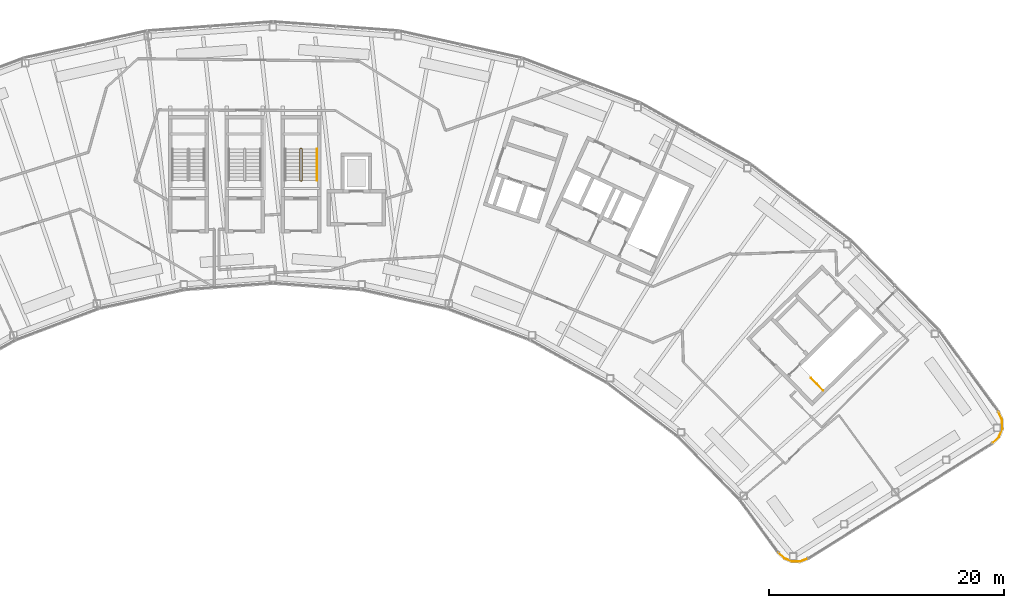
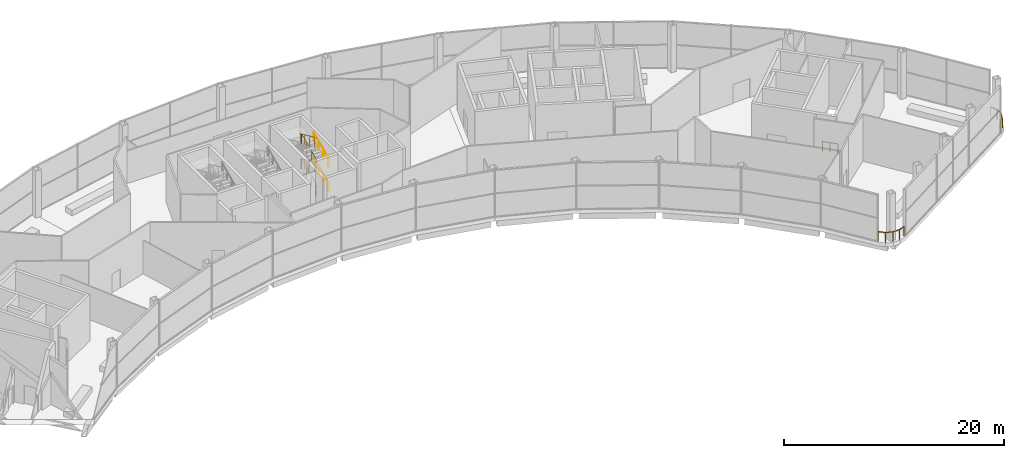
# One storey, part 43 of 44: 6 railings.
"""IFC4 building model written with IfcOpenShell, lengths in metres."""

from ifc_helpers import new_model, si_unit, direction, frame, origin, origin_2d, place, context, subcontext, project, spatial, circle, extrude, material, type_object, element, save


model = new_model("IFC4")

# Units and contexts
model_context = context("Model", 3, precision=1e-05, world=origin(), true_north=direction((0.0, 1.0)))
body_context = subcontext(model_context, "Body", "Model", "MODEL_VIEW")
ifc_project = project(units=[si_unit("LENGTHUNIT", "METRE"), si_unit("AREAUNIT", "SQUARE_METRE"), si_unit("VOLUMEUNIT", "CUBIC_METRE"), si_unit("PLANEANGLEUNIT", "RADIAN"), si_unit("MASSUNIT", "GRAM", prefix="KILO")], contexts=[model_context])

# Site, building, storey
site_placement = place(None, origin())
site = spatial("IfcSite", under=ifc_project, at=site_placement, CompositionType="ELEMENT")
building_placement = place(site_placement, origin())
building = spatial("IfcBuilding", under=site, at=building_placement, Name="Tuul Gate Civic Tower", CompositionType="ELEMENT")
storey_placement = place(building_placement, frame((0.0, 0.0, 354.60009765625)))
storey = spatial("IfcBuildingStorey", under=building, at=storey_placement, Name="Observation level 2", CompositionType="ELEMENT", Elevation=354.60009765625)

# Railings
ifc_material_1 = material(Name="Stainless steel", Category="steel")
railing_type_1 = type_object("IfcRailingType", Name="Edge guard", PredefinedType="GUARDRAIL", material=ifc_material_1)
railing_1_placement = place(storey_placement, frame((45.263916015625, -30.955078125, 0.0)))
element("IfcRailing", 1, at=railing_1_placement, inside=storey, type_object=railing_type_1, Name="Guard", PredefinedType="GUARDRAIL", context=body_context, shape_type="SweptSolid", body=[
    extrude(circle(Radius=0.02392578125, at=origin_2d()), frame((0.0, 0.0, 1.076171875), z_axis=(0.732667294309, -0.680586978901, 0.0), x_axis=(0.680586978901, 0.732667294309, 0.0)), (0.0, 0.0, 1.0), 0.689208984375),
    extrude(circle(Radius=0.02392578125, at=origin_2d()), frame((0.5048828125, -0.468994140625, 1.076171875), z_axis=(0.929355422999, -0.369186264293, 0.0), x_axis=(0.369186264293, 0.929355422999, 0.0)), (0.0, 0.0, 1.0), 0.687744140625),
    extrude(circle(Radius=0.02392578125, at=origin_2d()), frame((1.14404296875, -0.722900390625, 1.076171875), z_axis=(0.999995970368, -0.002838881392, 0.0), x_axis=(0.002838881392, 0.999995970368, 0.0)), (0.0, 0.0, 1.0), 0.68798828125),
    extrude(circle(Radius=0.02392578125, at=origin_2d()), frame((1.83203125, -0.724853515625, 1.076171875), z_axis=(0.93193147543, 0.362634423494, 0.0), x_axis=(-0.362634423494, 0.93193147543, 0.0)), (0.0, 0.0, 1.0), 0.688720703125),
    extrude(circle(Radius=0.02099609375, at=origin_2d()), origin(), (0.0, 0.0, 1.0), 1.052001953125),
    extrude(circle(Radius=0.02099609375, at=origin_2d()), frame((0.5048828125, -0.468994140625, 0.0)), (0.0, 0.0, 1.0), 1.052001953125),
    extrude(circle(Radius=0.02099609375, at=origin_2d()), frame((1.14404296875, -0.722900390625, 0.0)), (0.0, 0.0, 1.0), 1.052001953125),
    extrude(circle(Radius=0.02099609375, at=origin_2d()), frame((1.83203125, -0.724853515625, 0.0)), (0.0, 0.0, 1.0), 1.052001953125),
    extrude(circle(Radius=0.02099609375, at=origin_2d()), frame((2.473876953125, -0.47509765625, 0.0)), (0.0, 0.0, 1.0), 1.052001953125),
])
railing_2_placement = place(storey_placement, frame((63.468994140625, -21.60400390625, 0.0)))
element("IfcRailing", 2, at=railing_2_placement, inside=storey, type_object=railing_type_1, Name="Guard", PredefinedType="GUARDRAIL", context=body_context, shape_type="SweptSolid", body=[
    extrude(circle(Radius=0.02392578125, at=origin_2d()), frame((0.0, 0.0, 1.076171875), z_axis=(0.718993773209, 0.695016513535, 0.0), x_axis=(-0.695016513535, 0.718993773209, 0.0)), (0.0, 0.0, 1.0), 0.75341796875),
    extrude(circle(Radius=0.02392578125, at=origin_2d()), frame((0.541748046875, 0.523681640625, 1.076171875), z_axis=(0.385811143559, 0.922577780735, 0.0), x_axis=(-0.922577780735, 0.385811143559, 0.0)), (0.0, 0.0, 1.0), 0.753662109375),
    extrude(circle(Radius=0.02392578125, at=origin_2d()), frame((0.83251953125, 1.218994140625, 1.076171875), z_axis=(-0.014580433083, 0.999893699836, 0.0), x_axis=(-0.999893699836, -0.014580433083, 0.0)), (0.0, 0.0, 1.0), 0.75341796875),
    extrude(circle(Radius=0.02392578125, at=origin_2d()), frame((0.821533203125, 1.972412109375, 1.076171875), z_axis=(-0.413070533901, 0.910699035918, 0.0), x_axis=(-0.910699035918, -0.413070533901, 0.0)), (0.0, 0.0, 1.0), 0.753662109375),
    extrude(circle(Radius=0.02099609375, at=origin_2d()), origin(), (0.0, 0.0, 1.0), 1.052001953125),
    extrude(circle(Radius=0.02099609375, at=origin_2d()), frame((0.541748046875, 0.523681640625, 0.0)), (0.0, 0.0, 1.0), 1.052001953125),
    extrude(circle(Radius=0.02099609375, at=origin_2d()), frame((0.83251953125, 1.218994140625, 0.0)), (0.0, 0.0, 1.0), 1.052001953125),
    extrude(circle(Radius=0.02099609375, at=origin_2d()), frame((0.821533203125, 1.972412109375, 0.0)), (0.0, 0.0, 1.0), 1.052001953125),
    extrude(circle(Radius=0.02099609375, at=origin_2d()), frame((0.51025390625, 2.65869140625, 0.0)), (0.0, 0.0, 1.0), 1.052001953125),
])
ifc_material_2 = material(Name="Painted steel", Category="steel")
railing_type_2 = type_object("IfcRailingType", Name="Stair guard", PredefinedType="GUARDRAIL", material=ifc_material_2)
railing_3_placement = place(storey_placement, frame((49.050537109375, -17.098876953125, 0.0)))
element("IfcRailing", 3, at=railing_3_placement, inside=storey, type_object=railing_type_2, Name="Observation level 2 ST-3 top well guard 1", PredefinedType="GUARDRAIL", context=body_context, shape_type="SweptSolid", body=[
    extrude(circle(Radius=0.02392578125, at=origin_2d()), frame((0.0, 0.0, 1.076171875), z_axis=(-0.69991484053, 0.714226305876, 0.0), x_axis=(-0.714226305876, -0.69991484053, 0.0)), (0.0, 0.0, 1.0), 1.449951171875),
    extrude(circle(Radius=0.02099609375, at=origin_2d()), origin(), (0.0, 0.0, 1.0), 1.052001953125),
    extrude(circle(Radius=0.02099609375, at=origin_2d()), frame((-0.50732421875, 0.517822265625, 0.0)), (0.0, 0.0, 1.0), 1.052001953125),
    extrude(circle(Radius=0.02099609375, at=origin_2d()), frame((-1.014892578125, 1.03564453125, 0.0)), (0.0, 0.0, 1.0), 1.052001953125),
])
railing_4_placement = place(storey_placement, frame((4.64990234375, 0.699951171875, 0.0)))
element("IfcRailing", 4, at=railing_4_placement, inside=storey, type_object=railing_type_2, Name="Observation level 2 ST-7 stair guard 1", PredefinedType="GUARDRAIL", context=body_context, shape_type="SweptSolid", body=[
    extrude(circle(Radius=0.02392578125, at=origin_2d()), frame((0.0, 0.0, 1.076171875), z_axis=(-1.0, 0.0, 0.0), x_axis=(0.0, -1.0, 0.0)), (0.0, 0.0, 1.0), 0.099853515625),
    extrude(circle(Radius=0.02392578125, at=origin_2d()), frame((-0.099853515625, 0.0, 1.076171875), z_axis=(0.715702302449, 0.238955980459, 0.656254717066), x_axis=(-0.316691178788, 0.948528701346, 0.0)), (0.0, 0.0, 1.0), 0.20947265625),
    extrude(circle(Radius=0.02392578125, at=origin_2d()), frame((0.050048828125, 0.050048828125, 1.21337890625), z_axis=(0.0, 0.909055741701, 0.416674523436), x_axis=(-1.0, 0.0, 0.0)), (0.0, 0.0, 1.0), 2.969970703125),
    extrude(circle(Radius=0.02392578125, at=origin_2d()), frame((0.050048828125, 2.75, 2.451171875), z_axis=(-0.707106781187, 0.707106781187, 0.0), x_axis=(-0.707106781187, -0.707106781187, 0.0)), (0.0, 0.0, 1.0), 0.07080078125),
    extrude(circle(Radius=0.02392578125, at=origin_2d()), frame((0.0, 2.800048828125, 2.451171875), z_axis=(-1.0, 0.0, 0.0), x_axis=(0.0, -1.0, 0.0)), (0.0, 0.0, 1.0), 0.099853515625),
    extrude(circle(Radius=0.02392578125, at=origin_2d()), frame((-0.099853515625, 2.800048828125, 2.451171875), z_axis=(-0.323721382332, -0.323721382332, 0.889049454891), x_axis=(0.707106781187, -0.707106781187, 0.0)), (0.0, 0.0, 1.0), 0.154541015625),
    extrude(circle(Radius=0.02392578125, at=origin_2d()), frame((-0.14990234375, 2.75, 2.58837890625), z_axis=(0.0, -0.909055741701, 0.416674523436), x_axis=(1.0, 0.0, 0.0)), (0.0, 0.0, 1.0), 2.969970703125),
    extrude(circle(Radius=0.02392578125, at=origin_2d()), frame((-0.14990234375, 0.050048828125, 3.826171875), z_axis=(0.948528701346, -0.316691178788, 0.0), x_axis=(0.316691178788, 0.948528701346, 0.0)), (0.0, 0.0, 1.0), 0.157958984375),
    extrude(circle(Radius=0.02392578125, at=origin_2d()), frame((0.0, 0.0, 3.826171875), z_axis=(-1.0, 0.0, 0.0), x_axis=(0.0, -1.0, 0.0)), (0.0, 0.0, 1.0), 0.099853515625),
    extrude(circle(Radius=0.02392578125, at=origin_2d()), frame((-0.099853515625, 0.0, 3.826171875), z_axis=(0.715702302449, 0.238955980459, 0.656254717066), x_axis=(-0.316691178788, 0.948528701346, 0.0)), (0.0, 0.0, 1.0), 0.20947265625),
    extrude(circle(Radius=0.02392578125, at=origin_2d()), frame((0.050048828125, 0.050048828125, 3.96337890625), z_axis=(0.0, 0.909055741701, 0.416674523436), x_axis=(-1.0, 0.0, 0.0)), (0.0, 0.0, 1.0), 2.969970703125),
    extrude(circle(Radius=0.02392578125, at=origin_2d()), frame((0.050048828125, 2.75, 5.201171875), z_axis=(-0.707106781187, 0.707106781187, 0.0), x_axis=(-0.707106781187, -0.707106781187, 0.0)), (0.0, 0.0, 1.0), 0.07080078125),
    extrude(circle(Radius=0.02392578125, at=origin_2d()), frame((0.0, 2.800048828125, 5.201171875), z_axis=(-1.0, 0.0, 0.0), x_axis=(0.0, -1.0, 0.0)), (0.0, 0.0, 1.0), 0.099853515625),
    extrude(circle(Radius=0.02392578125, at=origin_2d()), frame((-0.099853515625, 2.800048828125, 5.201171875), z_axis=(-0.323721382332, -0.323721382332, 0.889049454891), x_axis=(0.707106781187, -0.707106781187, 0.0)), (0.0, 0.0, 1.0), 0.154541015625),
    extrude(circle(Radius=0.02392578125, at=origin_2d()), frame((-0.14990234375, 2.75, 5.33837890625), z_axis=(0.0, -0.909055741701, 0.416674523436), x_axis=(1.0, 0.0, 0.0)), (0.0, 0.0, 1.0), 2.969970703125),
    extrude(circle(Radius=0.02099609375, at=origin_2d()), origin(), (0.0, 0.0, 1.0), 1.052001953125),
    extrude(circle(Radius=0.02099609375, at=origin_2d()), frame((-0.099853515625, 0.0, 0.0)), (0.0, 0.0, 1.0), 1.052001953125),
    extrude(circle(Radius=0.02099609375, at=origin_2d()), frame((0.050048828125, 0.050048828125, 0.137451171875)), (0.0, 0.0, 1.0), 1.052001953125),
    extrude(circle(Radius=0.02099609375, at=origin_2d()), frame((0.050048828125, 0.949951171875, 0.550048828125)), (0.0, 0.0, 1.0), 1.052001953125),
    extrude(circle(Radius=0.02099609375, at=origin_2d()), frame((0.050048828125, 1.85009765625, 0.96240234375)), (0.0, 0.0, 1.0), 1.052001953125),
    extrude(circle(Radius=0.02099609375, at=origin_2d()), frame((0.050048828125, 2.75, 1.375)), (0.0, 0.0, 1.0), 1.052001953125),
    extrude(circle(Radius=0.02099609375, at=origin_2d()), frame((0.0, 2.800048828125, 1.375)), (0.0, 0.0, 1.0), 1.052001953125),
    extrude(circle(Radius=0.02099609375, at=origin_2d()), frame((-0.099853515625, 2.800048828125, 1.375)), (0.0, 0.0, 1.0), 1.052001953125),
    extrude(circle(Radius=0.02099609375, at=origin_2d()), frame((-0.14990234375, 2.75, 1.512451171875)), (0.0, 0.0, 1.0), 1.052001953125),
    extrude(circle(Radius=0.02099609375, at=origin_2d()), frame((-0.14990234375, 1.85009765625, 1.925048828125)), (0.0, 0.0, 1.0), 1.052001953125),
    extrude(circle(Radius=0.02099609375, at=origin_2d()), frame((-0.14990234375, 0.949951171875, 2.33740234375)), (0.0, 0.0, 1.0), 1.052001953125),
    extrude(circle(Radius=0.02099609375, at=origin_2d()), frame((-0.14990234375, 0.050048828125, 2.75)), (0.0, 0.0, 1.0), 1.052001953125),
    extrude(circle(Radius=0.02099609375, at=origin_2d()), frame((0.0, 0.0, 2.75)), (0.0, 0.0, 1.0), 1.052001953125),
    extrude(circle(Radius=0.02099609375, at=origin_2d()), frame((-0.099853515625, 0.0, 2.75)), (0.0, 0.0, 1.0), 1.052001953125),
    extrude(circle(Radius=0.02099609375, at=origin_2d()), frame((0.050048828125, 0.050048828125, 2.887451171875)), (0.0, 0.0, 1.0), 1.052001953125),
    extrude(circle(Radius=0.02099609375, at=origin_2d()), frame((0.050048828125, 0.949951171875, 3.300048828125)), (0.0, 0.0, 1.0), 1.052001953125),
    extrude(circle(Radius=0.02099609375, at=origin_2d()), frame((0.050048828125, 1.85009765625, 3.71240234375)), (0.0, 0.0, 1.0), 1.052001953125),
    extrude(circle(Radius=0.02099609375, at=origin_2d()), frame((0.050048828125, 2.75, 4.125)), (0.0, 0.0, 1.0), 1.052001953125),
    extrude(circle(Radius=0.02099609375, at=origin_2d()), frame((0.0, 2.800048828125, 4.125)), (0.0, 0.0, 1.0), 1.052001953125),
    extrude(circle(Radius=0.02099609375, at=origin_2d()), frame((-0.099853515625, 2.800048828125, 4.125)), (0.0, 0.0, 1.0), 1.052001953125),
    extrude(circle(Radius=0.02099609375, at=origin_2d()), frame((-0.14990234375, 2.75, 4.262451171875)), (0.0, 0.0, 1.0), 1.052001953125),
    extrude(circle(Radius=0.02099609375, at=origin_2d()), frame((-0.14990234375, 1.85009765625, 4.675048828125)), (0.0, 0.0, 1.0), 1.052001953125),
    extrude(circle(Radius=0.02099609375, at=origin_2d()), frame((-0.14990234375, 0.949951171875, 5.08740234375)), (0.0, 0.0, 1.0), 1.052001953125),
    extrude(circle(Radius=0.02099609375, at=origin_2d()), frame((-0.14990234375, 0.050048828125, 5.5)), (0.0, 0.0, 1.0), 1.052001953125),
])
ifc_material_3 = material(Name="Painted steel", Category="steel")
railing_type_3 = type_object("IfcRailingType", Name="Stair handrail", PredefinedType="HANDRAIL", material=ifc_material_3)
for number, where, name in (
    (5, (5.949951171875, 0.75, 0.137451171875), "Observation level 2 ST-7 stair handrail 1"),
    (6, (5.949951171875, 0.75, 2.887451171875), "Observation level 2 ST-7 stair handrail 3"),
):
    element("IfcRailing", number, at=place(storey_placement, frame(where)), inside=storey, type_object=railing_type_3, Name=name, PredefinedType="HANDRAIL", context=body_context, shape_type="SweptSolid", body=[
        extrude(circle(Radius=0.02392578125, at=origin_2d()), frame((0.0, 0.0, 0.8759765625), z_axis=(0.0, 0.909055741701, 0.416674523436), x_axis=(-1.0, 0.0, 0.0)), (0.0, 0.0, 1.0), 2.969970703125),
        extrude(circle(Radius=0.02099609375, at=origin_2d()), origin(), (0.0, 0.0, 1.0), 0.851806640625),
        extrude(circle(Radius=0.02099609375, at=origin_2d()), frame((0.0, 0.89990234375, 0.41259765625)), (0.0, 0.0, 1.0), 0.851806640625),
        extrude(circle(Radius=0.02099609375, at=origin_2d()), frame((0.0, 1.800048828125, 0.824951171875)), (0.0, 0.0, 1.0), 0.851806640625),
        extrude(circle(Radius=0.02099609375, at=origin_2d()), frame((0.0, 2.699951171875, 1.237548828125)), (0.0, 0.0, 1.0), 0.851806640625),
    ])

save(model, "model.ifc")
